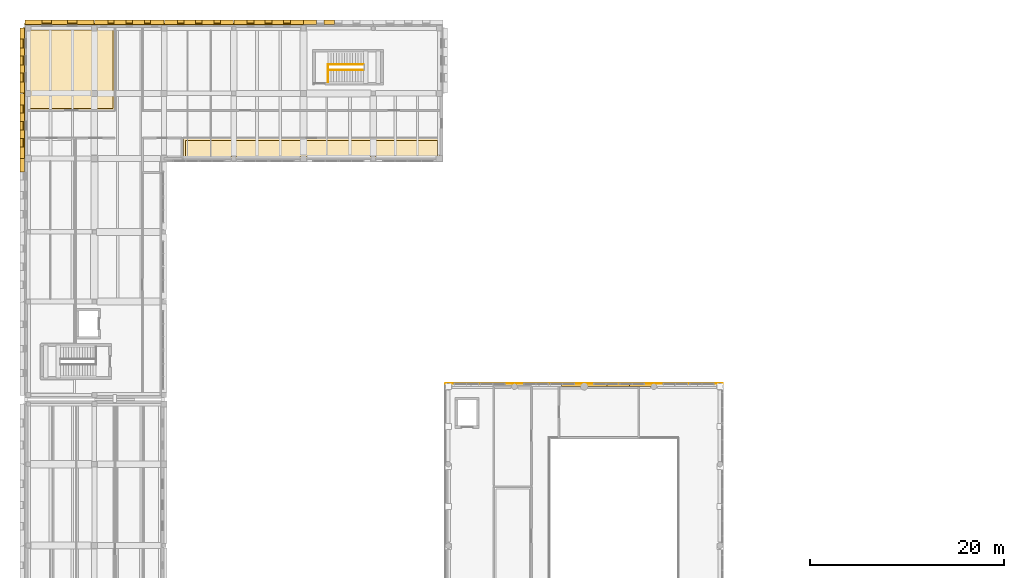
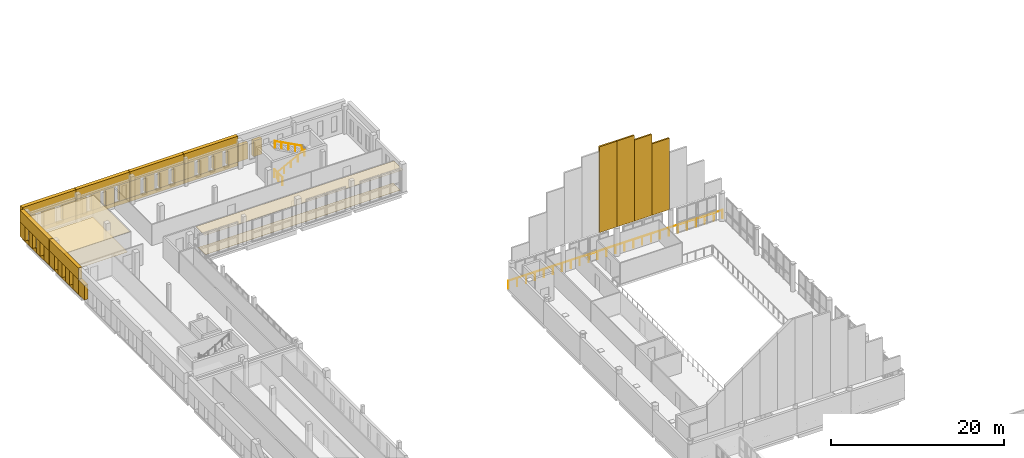
# One storey, part 72 of 76: 46 coverings, 4 railings.
"""IFC4 building model written with IfcOpenShell, lengths in metres."""

import ifcopenshell
import ifcopenshell.guid

model = None  # the IFC model being written
_history = None  # IfcOwnerHistory: only IFC2X3 demands one
_inside = {}  # id of a spatial element -> (the spatial element, [elements in it])
_under = {}  # id of a project, library or spatial element -> (it, [spatial elements below it])
_declared = {}  # id of a project -> (the project, [libraries it declares])
_typed = {}  # id of a type object -> (the type object, [elements of that type])
_made_of = {}  # id of a material, layer set ... -> (it, [elements and type objects made of it])


def new_model(schema):
    """Start an empty IFC model of exactly this schema.

    Asked for "IFC4X3", IfcOpenShell would pick the latest addendum, in which some entities
    have other attributes; the version numbers below select the first issue.
    IFC2X3 requires an IfcOwnerHistory on every rooted entity: one is made here for all.
    """
    global model, _history
    if schema == "IFC4X3":
        model = ifcopenshell.file(schema_version=(4, 3, 0, 0))
    else:
        model = ifcopenshell.file(schema=schema)
    _inside.clear()
    _under.clear()
    _declared.clear()
    _typed.clear()
    _made_of.clear()
    _history = None
    if model.schema == "IFC2X3":
        org = make("IfcOrganization", Name="unknown")
        user = make(
            "IfcPersonAndOrganization",
            ThePerson=make("IfcPerson", FamilyName="unknown"),
            TheOrganization=org,
        )
        app = make(
            "IfcApplication",
            ApplicationDeveloper=org,
            Version="unknown",
            ApplicationFullName="unknown",
            ApplicationIdentifier="unknown",
        )
        _history = make(
            "IfcOwnerHistory",
            OwningUser=user,
            OwningApplication=app,
            ChangeAction="ADDED",
            CreationDate=0,
        )
    return model


def make(cls, **values):
    """One entity of the class cls with the attributes given. An attribute that is None is left unset."""
    return model.create_entity(
        cls, **{name: value for name, value in values.items() if value is not None}
    )


def rooted(cls, **values):
    """An entity with a GlobalId (a new one), such as an element, a storey or a relation."""
    return make(cls, GlobalId=ifcopenshell.guid.new(), OwnerHistory=_history, **values)


def si_unit(unit_type, name, prefix=None):
    """IfcSIUnit, for example si_unit("LENGTHUNIT", "METRE", prefix="MILLI")."""
    return make("IfcSIUnit", UnitType=unit_type, Prefix=prefix, Name=name)


def assignment(units):
    """IfcUnitAssignment: the units of a project."""
    return None if units is None else make("IfcUnitAssignment", Units=units)


def point(xyz):
    """IfcCartesianPoint."""
    return None if xyz is None else make("IfcCartesianPoint", Coordinates=xyz)


def direction(xyz):
    """IfcDirection."""
    return None if xyz is None else make("IfcDirection", DirectionRatios=xyz)


def frame(location, z_axis=None, x_axis=None):
    """IfcAxis2Placement3D, a coordinate frame: its origin and axes. An axis left out is left unset."""
    return make(
        "IfcAxis2Placement3D",
        Location=point(location),
        Axis=direction(z_axis),
        RefDirection=direction(x_axis),
    )


def frame_2d(location, x_axis=None):
    """IfcAxis2Placement2D, a coordinate frame in the plane: its origin and x axis."""
    return make(
        "IfcAxis2Placement2D", Location=point(location), RefDirection=direction(x_axis)
    )


def origin():
    """The frame at (0, 0, 0) with its axes left unset."""
    return frame((0.0, 0.0, 0.0))


def origin_2d():
    """The frame at (0, 0) in the plane with its x axis left unset."""
    return frame_2d((0.0, 0.0))


def place(relative_to, where):
    """IfcLocalPlacement: puts the frame where relative to a parent placement (None: the world)."""
    return make(
        "IfcLocalPlacement", PlacementRelTo=relative_to, RelativePlacement=where
    )


def context(
    kind, dimensions, precision=None, world=None, true_north=None, identifier=None
):
    """IfcGeometricRepresentationContext, for example the 3D "Model" context."""
    return make(
        "IfcGeometricRepresentationContext",
        ContextIdentifier=identifier,
        ContextType=kind,
        CoordinateSpaceDimension=dimensions,
        Precision=precision,
        WorldCoordinateSystem=world,
        TrueNorth=true_north,
    )


def subcontext(parent, identifier, kind, view, scale=None):
    """IfcGeometricRepresentationSubContext, for example "Body" below "Model"."""
    return make(
        "IfcGeometricRepresentationSubContext",
        ContextIdentifier=identifier,
        ContextType=kind,
        ParentContext=parent,
        TargetScale=scale,
        TargetView=view,
    )


def project(units=None, contexts=None):
    """IfcProject with its units and contexts."""
    return rooted(
        "IfcProject",
        Name="project",
        RepresentationContexts=contexts,
        UnitsInContext=assignment(units),
    )


def spatial(cls, under=None, at=None, **own):
    """A site, building, storey or space (cls), placed at a placement, below another one or the project."""
    s = rooted(cls, ObjectPlacement=at, **own)
    if under is not None:
        _under.setdefault(under.id(), (under, []))[1].append(s)
    return s


def polyline(points):
    """IfcPolyline through the points."""
    return make("IfcPolyline", Points=[point(p) for p in points])


def profile(cls, at=None, kind="AREA", **sizes):
    """A parametric profile (cls). Its sizes go by their IFC names, for example OverallWidth=200.0."""
    return make(cls, ProfileType=kind, Position=at, **sizes)


def circle(**sizes):
    """IfcCircleProfileDef."""
    return profile("IfcCircleProfileDef", **sizes)


def outline(outer, holes=None, kind="AREA"):
    """IfcArbitraryClosedProfileDef: a profile drawn as a closed curve; with holes, ...WithVoids."""
    if holes is None:
        return make("IfcArbitraryClosedProfileDef", ProfileType=kind, OuterCurve=outer)
    return make(
        "IfcArbitraryProfileDefWithVoids",
        ProfileType=kind,
        OuterCurve=outer,
        InnerCurves=holes,
    )


def extrude(swept, where, along, depth):
    """IfcExtrudedAreaSolid: the profile swept, set in the frame where, extruded along a direction by depth."""
    return make(
        "IfcExtrudedAreaSolid",
        SweptArea=swept,
        Position=where,
        ExtrudedDirection=direction(along),
        Depth=depth,
    )


def shape(context_of_items, identifier, shape_type, items):
    """IfcShapeRepresentation: the items that make up one representation, for example the "Body"."""
    return make(
        "IfcShapeRepresentation",
        ContextOfItems=context_of_items,
        RepresentationIdentifier=identifier,
        RepresentationType=shape_type,
        Items=items,
    )


def material(Name=None, Category=None):
    """IfcMaterial."""
    return make("IfcMaterial", Name=Name, Category=Category)


def layer(
    of_material, thickness, ventilated=None, Name=None, Category=None, Priority=None
):
    """IfcMaterialLayer: one layer of a wall or slab, of a material (None: an air gap)."""
    return make(
        "IfcMaterialLayer",
        Material=of_material,
        LayerThickness=thickness,
        IsVentilated=ventilated,
        Name=Name,
        Category=Category,
        Priority=Priority,
    )


def layer_set(layers, Name=None):
    """IfcMaterialLayerSet."""
    return make("IfcMaterialLayerSet", MaterialLayers=layers, LayerSetName=Name)


def made_of(thing, what):
    """Note that an element or type object is made of a material, layer set ...; save() writes the relation."""
    if what is not None:
        _made_of.setdefault(what.id(), (what, []))[1].append(thing)
    return thing


def type_object(cls, material=None, **own):
    """A type object (cls), such as IfcWallType, which elements share."""
    return made_of(rooted(cls, **own), material)


def element(
    cls,
    number,
    at=None,
    inside=None,
    cuts=None,
    type_object=None,
    material=None,
    context=None,
    identifier="Body",
    shape_type=None,
    held_by="IfcProductDefinitionShape",
    body=None,
    shapes=None,
    **own,
):
    """One element of the class cls, such as IfcWall. Its Tag is "e" and its number.

    at: its placement. inside: the storey or other place that contains it. cuts: it is an
    opening in that element (IfcRelVoidsElement). A single representation is given by context,
    identifier, shape_type and body (its items); several are given by shapes. held_by: the class
    of the entity that holds the representations. save() writes the other relations.
    """
    e = rooted(cls, Tag="e%d" % number, ObjectPlacement=at, **own)
    if body is not None:
        shapes = [shape(context, identifier, shape_type, body)]
    if shapes is not None:
        e.Representation = make(held_by, Representations=shapes)
    if inside is not None:
        _inside.setdefault(inside.id(), (inside, []))[1].append(e)
    if cuts is not None:
        rooted(
            "IfcRelVoidsElement", RelatingBuildingElement=cuts, RelatedOpeningElement=e
        )
    if type_object is not None:
        _typed.setdefault(type_object.id(), (type_object, []))[1].append(e)
    return made_of(e, material)


def aggregate(whole, parts):
    """IfcRelAggregates: a whole, such as a stair, and the parts it consists of."""
    return rooted("IfcRelAggregates", RelatingObject=whole, RelatedObjects=parts)


def save(model, path):
    """Write the relations noted so far, then the file.

    IfcRelAggregates (storeys below a building ...), IfcRelContainedInSpatialStructure (elements
    in a storey), IfcRelDefinesByType, IfcRelAssociatesMaterial and IfcRelDeclares: one each for
    every whole, place, type object, material and project.
    """
    for whole, parts in _under.values():
        aggregate(whole, parts)
    for where, things in _inside.values():
        rooted(
            "IfcRelContainedInSpatialStructure",
            RelatedElements=things,
            RelatingStructure=where,
        )
    for kind, things in _typed.values():
        rooted("IfcRelDefinesByType", RelatedObjects=things, RelatingType=kind)
    for what, things in _made_of.values():
        rooted("IfcRelAssociatesMaterial", RelatedObjects=things, RelatingMaterial=what)
    for by, libraries in _declared.values():
        rooted("IfcRelDeclares", RelatingContext=by, RelatedDefinitions=libraries)
    model.write(path)


model = new_model("IFC4")

# Units and contexts
model_context = context("Model", 3, precision=1e-05, world=origin(), true_north=direction((0.0, 1.0)))
body_context = subcontext(model_context, "Body", "Model", "MODEL_VIEW")
ifc_project = project(units=[si_unit("LENGTHUNIT", "METRE"), si_unit("AREAUNIT", "SQUARE_METRE"), si_unit("VOLUMEUNIT", "CUBIC_METRE"), si_unit("PLANEANGLEUNIT", "RADIAN"), si_unit("MASSUNIT", "GRAM", prefix="KILO")], contexts=[model_context])

# Site, building, storey
site_placement = place(None, origin())
site = spatial("IfcSite", under=ifc_project, at=site_placement, CompositionType="ELEMENT")
building_placement = place(site_placement, origin())
building = spatial("IfcBuilding", under=site, at=building_placement, Name="Vardoun Plaza Health Centre", CompositionType="ELEMENT")
storey_placement = place(building_placement, frame((0.0, 0.0, 4.5)))
storey = spatial("IfcBuildingStorey", under=building, at=storey_placement, Name="L01", CompositionType="ELEMENT", Elevation=4.5)

# Coverings
ifc_material_1 = material(Name="Hygienic Acoustic Mineral-Fibre Ceiling", Category="concrete")
ifc_layer_1 = layer(ifc_material_1, 0.02490234375)
ifc_layer_set_1 = layer_set([ifc_layer_1], Name="Hygienic Acoustic Mineral-Fibre Ceiling")
covering_type_1 = type_object("IfcCoveringType", Name="CL-01", PredefinedType="CEILING", material=ifc_layer_set_1)
covering_1_placement = place(storey_placement, frame((0.0, 0.0, 2.89501953125)))
element("IfcCovering", 1, at=covering_1_placement, inside=storey, type_object=covering_type_1, Name="Community Health Seminar Room 2 Acoustic Ceiling", PredefinedType="CEILING", context=body_context, shape_type="SweptSolid", body=[
    extrude(outline(polyline([(13.820068359375, 114.93994140625), (13.820068359375, 106.429931640625), (4.860107421875, 106.429931640625), (4.860107421875, 114.93994140625), (13.820068359375, 114.93994140625)])), origin(), (0.0, 0.0, 1.0), 0.02490234375),
])
covering_2_placement = place(storey_placement, frame((0.0, 0.0, 2.89501953125)))
element("IfcCovering", 2, at=covering_2_placement, inside=storey, type_object=covering_type_1, Name="Paediatric Consulting Room 11 A Acoustic Ceiling", PredefinedType="CEILING", context=body_context, shape_type="SweptSolid", body=[
    extrude(outline(polyline([(20.903564453125, 101.4599609375), (20.903564453125, 103.570068359375), (47.340087890625, 103.570068359375), (47.340087890625, 101.4599609375), (20.903564453125, 101.4599609375)])), origin(), (0.0, 0.0, 1.0), 0.02490234375),
])
ifc_material_2 = material(Name="Pale Limestone Concrete C35/45", Category="masonry")
ifc_layer_2 = layer(ifc_material_2, 0.080078125)
ifc_layer_set_2 = layer_set([ifc_layer_2], Name="Pale Limestone Concrete C35/45")
covering_type_2 = type_object("IfcCoveringType", Name="CL-EXT1", PredefinedType="CLADDING", material=ifc_layer_set_2)
covering_3_placement = place(storey_placement, origin())
element("IfcCovering", 3, at=covering_3_placement, inside=storey, type_object=covering_type_2, Name="V3 L01 Pale Concrete Sill Band 767", PredefinedType="CLADDING", context=body_context, shape_type="SweptSolid", body=[
    extrude(outline(polyline([(4.52001953125, 115.300048828125), (11.679931640625, 115.300048828125), (11.679931640625, 115.43994140625), (4.52001953125, 115.43994140625), (4.52001953125, 115.300048828125)])), origin(), (0.0, 0.0, 1.0), 0.550048828125),
])
covering_4_placement = place(storey_placement, frame((0.0, 0.0, 2.72998046875)))
element("IfcCovering", 4, at=covering_4_placement, inside=storey, type_object=covering_type_2, Name="V3 L01 Sculpted Concrete Eyebrow Hood 768", PredefinedType="CLADDING", context=body_context, shape_type="SweptSolid", body=[
    extrude(outline(polyline([(4.52001953125, 115.300048828125), (11.679931640625, 115.300048828125), (11.679931640625, 115.780029296875), (4.52001953125, 115.780029296875), (4.52001953125, 115.300048828125)])), origin(), (0.0, 0.0, 1.0), 1.469970703125),
])
covering_5_placement = place(storey_placement, frame((0.0, 0.0, 0.550048828125)))
element("IfcCovering", 5, at=covering_5_placement, inside=storey, type_object=covering_type_2, Name="V3 L01 Deep-Punched Slot Concrete Reveal Pier 769", PredefinedType="CLADDING", context=body_context, shape_type="SweptSolid", body=[
    extrude(outline(polyline([(4.52001953125, 115.300048828125), (6.31396484375, 115.300048828125), (6.31396484375, 115.780029296875), (4.52001953125, 115.780029296875), (4.52001953125, 115.300048828125)])), origin(), (0.0, 0.0, 1.0), 2.179931640625),
])
covering_6_placement = place(storey_placement, frame((0.0, 0.0, 0.550048828125)))
element("IfcCovering", 6, at=covering_6_placement, inside=storey, type_object=covering_type_2, Name="V3 L01 Deep-Punched Slot Concrete Reveal Pier 770", PredefinedType="CLADDING", context=body_context, shape_type="SweptSolid", body=[
    extrude(outline(polyline([(7.2939453125, 115.300048828125), (8.906005859375, 115.300048828125), (8.906005859375, 115.780029296875), (7.2939453125, 115.780029296875), (7.2939453125, 115.300048828125)])), origin(), (0.0, 0.0, 1.0), 2.179931640625),
])
covering_7_placement = place(storey_placement, frame((0.0, 0.0, 0.550048828125)))
element("IfcCovering", 7, at=covering_7_placement, inside=storey, type_object=covering_type_2, Name="V3 L01 Deep-Punched Slot Concrete Reveal Pier 771", PredefinedType="CLADDING", context=body_context, shape_type="SweptSolid", body=[
    extrude(outline(polyline([(9.885986328125, 115.300048828125), (11.679931640625, 115.300048828125), (11.679931640625, 115.780029296875), (9.885986328125, 115.780029296875), (9.885986328125, 115.300048828125)])), origin(), (0.0, 0.0, 1.0), 2.179931640625),
])
covering_8_placement = place(storey_placement, origin())
element("IfcCovering", 8, at=covering_8_placement, inside=storey, type_object=covering_type_2, Name="V3 L01 Pale Concrete Sill Band 772", PredefinedType="CLADDING", context=body_context, shape_type="SweptSolid", body=[
    extrude(outline(polyline([(11.719970703125, 115.300048828125), (18.8798828125, 115.300048828125), (18.8798828125, 115.43994140625), (11.719970703125, 115.43994140625), (11.719970703125, 115.300048828125)])), origin(), (0.0, 0.0, 1.0), 0.550048828125),
])
covering_9_placement = place(storey_placement, frame((0.0, 0.0, 2.830078125)))
element("IfcCovering", 9, at=covering_9_placement, inside=storey, type_object=covering_type_2, Name="V3 L01 Sculpted Concrete Eyebrow Hood 773", PredefinedType="CLADDING", context=body_context, shape_type="SweptSolid", body=[
    extrude(outline(polyline([(11.719970703125, 115.300048828125), (18.8798828125, 115.300048828125), (18.8798828125, 115.780029296875), (11.719970703125, 115.780029296875), (11.719970703125, 115.300048828125)])), origin(), (0.0, 0.0, 1.0), 1.369873046875),
])
covering_10_placement = place(storey_placement, frame((0.0, 0.0, 0.550048828125)))
element("IfcCovering", 10, at=covering_10_placement, inside=storey, type_object=covering_type_2, Name="V3 L01 Deep-Punched Slot Concrete Reveal Pier 774", PredefinedType="CLADDING", context=body_context, shape_type="SweptSolid", body=[
    extrude(outline(polyline([(11.719970703125, 115.300048828125), (13.10791015625, 115.300048828125), (13.10791015625, 115.780029296875), (11.719970703125, 115.780029296875), (11.719970703125, 115.300048828125)])), origin(), (0.0, 0.0, 1.0), 2.280029296875),
])
covering_11_placement = place(storey_placement, frame((0.0, 0.0, 0.550048828125)))
element("IfcCovering", 11, at=covering_11_placement, inside=storey, type_object=covering_type_2, Name="V3 L01 Deep-Punched Slot Concrete Reveal Pier 775", PredefinedType="CLADDING", context=body_context, shape_type="SweptSolid", body=[
    extrude(outline(polyline([(13.748046875, 115.300048828125), (14.97998046875, 115.300048828125), (14.97998046875, 115.780029296875), (13.748046875, 115.780029296875), (13.748046875, 115.300048828125)])), origin(), (0.0, 0.0, 1.0), 2.280029296875),
])
covering_12_placement = place(storey_placement, frame((0.0, 0.0, 0.550048828125)))
element("IfcCovering", 12, at=covering_12_placement, inside=storey, type_object=covering_type_2, Name="V3 L01 Deep-Punched Slot Concrete Reveal Pier 776", PredefinedType="CLADDING", context=body_context, shape_type="SweptSolid", body=[
    extrude(outline(polyline([(15.6201171875, 115.300048828125), (16.85205078125, 115.300048828125), (16.85205078125, 115.780029296875), (15.6201171875, 115.780029296875), (15.6201171875, 115.300048828125)])), origin(), (0.0, 0.0, 1.0), 2.280029296875),
])
covering_13_placement = place(storey_placement, frame((0.0, 0.0, 0.550048828125)))
element("IfcCovering", 13, at=covering_13_placement, inside=storey, type_object=covering_type_2, Name="V3 L01 Deep-Punched Slot Concrete Reveal Pier 777", PredefinedType="CLADDING", context=body_context, shape_type="SweptSolid", body=[
    extrude(outline(polyline([(17.491943359375, 115.300048828125), (18.8798828125, 115.300048828125), (18.8798828125, 115.780029296875), (17.491943359375, 115.780029296875), (17.491943359375, 115.300048828125)])), origin(), (0.0, 0.0, 1.0), 2.280029296875),
])
covering_14_placement = place(storey_placement, origin())
element("IfcCovering", 14, at=covering_14_placement, inside=storey, type_object=covering_type_2, Name="V3 L01 Pale Concrete Sill Band 778", PredefinedType="CLADDING", context=body_context, shape_type="SweptSolid", body=[
    extrude(outline(polyline([(18.919921875, 115.300048828125), (26.080078125, 115.300048828125), (26.080078125, 115.43994140625), (18.919921875, 115.43994140625), (18.919921875, 115.300048828125)])), origin(), (0.0, 0.0, 1.0), 0.550048828125),
])
covering_15_placement = place(storey_placement, frame((0.0, 0.0, 2.830078125)))
element("IfcCovering", 15, at=covering_15_placement, inside=storey, type_object=covering_type_2, Name="V3 L01 Sculpted Concrete Eyebrow Hood 779", PredefinedType="CLADDING", context=body_context, shape_type="SweptSolid", body=[
    extrude(outline(polyline([(18.919921875, 115.300048828125), (26.080078125, 115.300048828125), (26.080078125, 115.780029296875), (18.919921875, 115.780029296875), (18.919921875, 115.300048828125)])), origin(), (0.0, 0.0, 1.0), 1.369873046875),
])
covering_16_placement = place(storey_placement, frame((0.0, 0.0, 0.550048828125)))
element("IfcCovering", 16, at=covering_16_placement, inside=storey, type_object=covering_type_2, Name="V3 L01 Deep-Punched Slot Concrete Reveal Pier 780", PredefinedType="CLADDING", context=body_context, shape_type="SweptSolid", body=[
    extrude(outline(polyline([(18.919921875, 115.300048828125), (20.2880859375, 115.300048828125), (20.2880859375, 115.780029296875), (18.919921875, 115.780029296875), (18.919921875, 115.300048828125)])), origin(), (0.0, 0.0, 1.0), 2.280029296875),
])
covering_17_placement = place(storey_placement, frame((0.0, 0.0, 0.550048828125)))
element("IfcCovering", 17, at=covering_17_placement, inside=storey, type_object=covering_type_2, Name="V3 L01 Deep-Punched Slot Concrete Reveal Pier 781", PredefinedType="CLADDING", context=body_context, shape_type="SweptSolid", body=[
    extrude(outline(polyline([(20.968017578125, 115.300048828125), (22.159912109375, 115.300048828125), (22.159912109375, 115.780029296875), (20.968017578125, 115.780029296875), (20.968017578125, 115.300048828125)])), origin(), (0.0, 0.0, 1.0), 2.280029296875),
])
covering_18_placement = place(storey_placement, frame((0.0, 0.0, 0.550048828125)))
element("IfcCovering", 18, at=covering_18_placement, inside=storey, type_object=covering_type_2, Name="V3 L01 Deep-Punched Slot Concrete Reveal Pier 782", PredefinedType="CLADDING", context=body_context, shape_type="SweptSolid", body=[
    extrude(outline(polyline([(22.840087890625, 115.300048828125), (24.031982421875, 115.300048828125), (24.031982421875, 115.780029296875), (22.840087890625, 115.780029296875), (22.840087890625, 115.300048828125)])), origin(), (0.0, 0.0, 1.0), 2.280029296875),
])
covering_19_placement = place(storey_placement, frame((0.0, 0.0, 0.550048828125)))
element("IfcCovering", 19, at=covering_19_placement, inside=storey, type_object=covering_type_2, Name="V3 L01 Deep-Punched Slot Concrete Reveal Pier 783", PredefinedType="CLADDING", context=body_context, shape_type="SweptSolid", body=[
    extrude(outline(polyline([(24.7119140625, 115.300048828125), (26.080078125, 115.300048828125), (26.080078125, 115.780029296875), (24.7119140625, 115.780029296875), (24.7119140625, 115.300048828125)])), origin(), (0.0, 0.0, 1.0), 2.280029296875),
])
covering_20_placement = place(storey_placement, origin())
element("IfcCovering", 20, at=covering_20_placement, inside=storey, type_object=covering_type_2, Name="V3 L01 Pale Concrete Sill Band 784", PredefinedType="CLADDING", context=body_context, shape_type="SweptSolid", body=[
    extrude(outline(polyline([(26.1201171875, 115.300048828125), (33.280029296875, 115.300048828125), (33.280029296875, 115.43994140625), (26.1201171875, 115.43994140625), (26.1201171875, 115.300048828125)])), origin(), (0.0, 0.0, 1.0), 0.550048828125),
])
covering_21_placement = place(storey_placement, frame((0.0, 0.0, 2.77001953125)))
element("IfcCovering", 21, at=covering_21_placement, inside=storey, type_object=covering_type_2, Name="V3 L01 Sculpted Concrete Eyebrow Hood 785", PredefinedType="CLADDING", context=body_context, shape_type="SweptSolid", body=[
    extrude(outline(polyline([(26.1201171875, 115.300048828125), (33.280029296875, 115.300048828125), (33.280029296875, 115.780029296875), (26.1201171875, 115.780029296875), (26.1201171875, 115.300048828125)])), origin(), (0.0, 0.0, 1.0), 1.429931640625),
])
covering_22_placement = place(storey_placement, frame((0.0, 0.0, 0.550048828125)))
element("IfcCovering", 22, at=covering_22_placement, inside=storey, type_object=covering_type_2, Name="V3 L01 Deep-Punched Slot Concrete Reveal Pier 786", PredefinedType="CLADDING", context=body_context, shape_type="SweptSolid", body=[
    extrude(outline(polyline([(26.1201171875, 115.300048828125), (27.468017578125, 115.300048828125), (27.468017578125, 115.780029296875), (26.1201171875, 115.780029296875), (26.1201171875, 115.300048828125)])), origin(), (0.0, 0.0, 1.0), 2.219970703125),
])
covering_23_placement = place(storey_placement, frame((0.0, 0.0, 0.550048828125)))
element("IfcCovering", 23, at=covering_23_placement, inside=storey, type_object=covering_type_2, Name="V3 L01 Deep-Punched Slot Concrete Reveal Pier 787", PredefinedType="CLADDING", context=body_context, shape_type="SweptSolid", body=[
    extrude(outline(polyline([(28.18798828125, 115.300048828125), (29.340087890625, 115.300048828125), (29.340087890625, 115.780029296875), (28.18798828125, 115.780029296875), (28.18798828125, 115.300048828125)])), origin(), (0.0, 0.0, 1.0), 2.219970703125),
])
covering_24_placement = place(storey_placement, frame((0.0, 0.0, 0.550048828125)))
element("IfcCovering", 24, at=covering_24_placement, inside=storey, type_object=covering_type_2, Name="V3 L01 Deep-Punched Slot Concrete Reveal Pier 788", PredefinedType="CLADDING", context=body_context, shape_type="SweptSolid", body=[
    extrude(outline(polyline([(30.06005859375, 115.300048828125), (31.2119140625, 115.300048828125), (31.2119140625, 115.780029296875), (30.06005859375, 115.780029296875), (30.06005859375, 115.300048828125)])), origin(), (0.0, 0.0, 1.0), 2.219970703125),
])
covering_25_placement = place(storey_placement, frame((0.0, 0.0, 0.550048828125)))
element("IfcCovering", 25, at=covering_25_placement, inside=storey, type_object=covering_type_2, Name="V3 L01 Deep-Punched Slot Concrete Reveal Pier 789", PredefinedType="CLADDING", context=body_context, shape_type="SweptSolid", body=[
    extrude(outline(polyline([(31.931884765625, 115.300048828125), (33.280029296875, 115.300048828125), (33.280029296875, 115.780029296875), (31.931884765625, 115.780029296875), (31.931884765625, 115.300048828125)])), origin(), (0.0, 0.0, 1.0), 2.219970703125),
])
covering_26_placement = place(storey_placement, frame((0.0, 0.0, 0.550048828125)))
element("IfcCovering", 26, at=covering_26_placement, inside=storey, type_object=covering_type_2, Name="V3 L01 Deep-Punched Slot Concrete Reveal Pier 792", PredefinedType="CLADDING", context=body_context, shape_type="SweptSolid", body=[
    extrude(outline(polyline([(33.320068359375, 115.300048828125), (34.64794921875, 115.300048828125), (34.64794921875, 115.780029296875), (33.320068359375, 115.780029296875), (33.320068359375, 115.300048828125)])), origin(), (0.0, 0.0, 1.0), 2.219970703125),
])
covering_27_placement = place(storey_placement, frame((0.0, 0.0, 0.550048828125)))
element("IfcCovering", 27, at=covering_27_placement, inside=storey, type_object=covering_type_2, Name="V3 L01 Deep-Punched Slot Concrete Reveal Pier 793", PredefinedType="CLADDING", context=body_context, shape_type="SweptSolid", body=[
    extrude(outline(polyline([(35.407958984375, 115.300048828125), (36.52001953125, 115.300048828125), (36.52001953125, 115.780029296875), (35.407958984375, 115.780029296875), (35.407958984375, 115.300048828125)])), origin(), (0.0, 0.0, 1.0), 2.219970703125),
])
covering_28_placement = place(storey_placement, frame((0.0, 0.0, 0.550048828125)))
element("IfcCovering", 28, at=covering_28_placement, inside=storey, type_object=covering_type_2, Name="V3 L01 Deep-Punched Slot Concrete Reveal Pier 825", PredefinedType="CLADDING", context=body_context, shape_type="SweptSolid", body=[
    extrude(outline(polyline([(4.5, 100.06591796875), (4.5, 101.4599609375), (4.02001953125, 101.4599609375), (4.02001953125, 100.06591796875), (4.5, 100.06591796875)])), origin(), (0.0, 0.0, 1.0), 2.06005859375),
])
covering_29_placement = place(storey_placement, origin())
element("IfcCovering", 29, at=covering_29_placement, inside=storey, type_object=covering_type_2, Name="V3 L01 Pale Concrete Sill Band 826", PredefinedType="CLADDING", context=body_context, shape_type="SweptSolid", body=[
    extrude(outline(polyline([(4.5, 101.5), (4.5, 108.179931640625), (4.360107421875, 108.179931640625), (4.360107421875, 101.5), (4.5, 101.5)])), origin(), (0.0, 0.0, 1.0), 0.550048828125),
])
covering_30_placement = place(storey_placement, frame((0.0, 0.0, 2.610107421875)))
element("IfcCovering", 30, at=covering_30_placement, inside=storey, type_object=covering_type_2, Name="V3 L01 Sculpted Concrete Eyebrow Hood 827", PredefinedType="CLADDING", context=body_context, shape_type="SweptSolid", body=[
    extrude(outline(polyline([(4.5, 101.5), (4.5, 108.179931640625), (4.02001953125, 108.179931640625), (4.02001953125, 101.5), (4.5, 101.5)])), origin(), (0.0, 0.0, 1.0), 1.58984375),
])
covering_31_placement = place(storey_placement, frame((0.0, 0.0, 0.550048828125)))
element("IfcCovering", 31, at=covering_31_placement, inside=storey, type_object=covering_type_2, Name="V3 L01 Deep-Punched Slot Concrete Reveal Pier 828", PredefinedType="CLADDING", context=body_context, shape_type="SweptSolid", body=[
    extrude(outline(polyline([(4.5, 101.5), (4.5, 102.65771484375), (4.02001953125, 102.65771484375), (4.02001953125, 101.5), (4.5, 101.5)])), origin(), (0.0, 0.0, 1.0), 2.06005859375),
])
covering_32_placement = place(storey_placement, frame((0.0, 0.0, 0.550048828125)))
element("IfcCovering", 32, at=covering_32_placement, inside=storey, type_object=covering_type_2, Name="V3 L01 Deep-Punched Slot Concrete Reveal Pier 829", PredefinedType="CLADDING", context=body_context, shape_type="SweptSolid", body=[
    extrude(outline(polyline([(4.5, 103.52783203125), (4.5, 104.405029296875), (4.02001953125, 104.405029296875), (4.02001953125, 103.52783203125), (4.5, 103.52783203125)])), origin(), (0.0, 0.0, 1.0), 2.06005859375),
])
covering_33_placement = place(storey_placement, frame((0.0, 0.0, 0.550048828125)))
element("IfcCovering", 33, at=covering_33_placement, inside=storey, type_object=covering_type_2, Name="V3 L01 Deep-Punched Slot Concrete Reveal Pier 830", PredefinedType="CLADDING", context=body_context, shape_type="SweptSolid", body=[
    extrude(outline(polyline([(4.5, 105.27490234375), (4.5, 106.152099609375), (4.02001953125, 106.152099609375), (4.02001953125, 105.27490234375), (4.5, 105.27490234375)])), origin(), (0.0, 0.0, 1.0), 2.06005859375),
])
covering_34_placement = place(storey_placement, frame((0.0, 0.0, 0.550048828125)))
element("IfcCovering", 34, at=covering_34_placement, inside=storey, type_object=covering_type_2, Name="V3 L01 Deep-Punched Slot Concrete Reveal Pier 831", PredefinedType="CLADDING", context=body_context, shape_type="SweptSolid", body=[
    extrude(outline(polyline([(4.5, 107.022216796875), (4.5, 108.179931640625), (4.02001953125, 108.179931640625), (4.02001953125, 107.022216796875), (4.5, 107.022216796875)])), origin(), (0.0, 0.0, 1.0), 2.06005859375),
])
covering_35_placement = place(storey_placement, origin())
element("IfcCovering", 35, at=covering_35_placement, inside=storey, type_object=covering_type_2, Name="V3 L01 Pale Concrete Sill Band 832", PredefinedType="CLADDING", context=body_context, shape_type="SweptSolid", body=[
    extrude(outline(polyline([(4.5, 108.219970703125), (4.5, 114.965087890625), (4.360107421875, 114.965087890625), (4.360107421875, 108.219970703125), (4.5, 108.219970703125)])), origin(), (0.0, 0.0, 1.0), 0.550048828125),
])
covering_36_placement = place(storey_placement, frame((0.0, 0.0, 2.570068359375)))
element("IfcCovering", 36, at=covering_36_placement, inside=storey, type_object=covering_type_2, Name="V3 L01 Sculpted Concrete Eyebrow Hood 833", PredefinedType="CLADDING", context=body_context, shape_type="SweptSolid", body=[
    extrude(outline(polyline([(4.5, 108.219970703125), (4.5, 114.965087890625), (4.02001953125, 114.965087890625), (4.02001953125, 108.219970703125), (4.5, 108.219970703125)])), origin(), (0.0, 0.0, 1.0), 1.6298828125),
])
covering_37_placement = place(storey_placement, frame((0.0, 0.0, 0.550048828125)))
element("IfcCovering", 37, at=covering_37_placement, inside=storey, type_object=covering_type_2, Name="V3 L01 Deep-Punched Slot Concrete Reveal Pier 834", PredefinedType="CLADDING", context=body_context, shape_type="SweptSolid", body=[
    extrude(outline(polyline([(4.5, 108.219970703125), (4.5, 109.36328125), (4.02001953125, 109.36328125), (4.02001953125, 108.219970703125), (4.5, 108.219970703125)])), origin(), (0.0, 0.0, 1.0), 2.02001953125),
])
covering_38_placement = place(storey_placement, frame((0.0, 0.0, 0.550048828125)))
element("IfcCovering", 38, at=covering_38_placement, inside=storey, type_object=covering_type_2, Name="V3 L01 Deep-Punched Slot Concrete Reveal Pier 835", PredefinedType="CLADDING", context=body_context, shape_type="SweptSolid", body=[
    extrude(outline(polyline([(4.5, 110.29345703125), (4.5, 111.12744140625), (4.02001953125, 111.12744140625), (4.02001953125, 110.29345703125), (4.5, 110.29345703125)])), origin(), (0.0, 0.0, 1.0), 2.02001953125),
])
covering_39_placement = place(storey_placement, frame((0.0, 0.0, 0.550048828125)))
element("IfcCovering", 39, at=covering_39_placement, inside=storey, type_object=covering_type_2, Name="V3 L01 Deep-Punched Slot Concrete Reveal Pier 836", PredefinedType="CLADDING", context=body_context, shape_type="SweptSolid", body=[
    extrude(outline(polyline([(4.5, 112.0576171875), (4.5, 112.8916015625), (4.02001953125, 112.8916015625), (4.02001953125, 112.0576171875), (4.5, 112.0576171875)])), origin(), (0.0, 0.0, 1.0), 2.02001953125),
])
covering_40_placement = place(storey_placement, frame((0.0, 0.0, 0.550048828125)))
element("IfcCovering", 40, at=covering_40_placement, inside=storey, type_object=covering_type_2, Name="V3 L01 Deep-Punched Slot Concrete Reveal Pier 837", PredefinedType="CLADDING", context=body_context, shape_type="SweptSolid", body=[
    extrude(outline(polyline([(4.5, 113.821533203125), (4.5, 114.965087890625), (4.02001953125, 114.965087890625), (4.02001953125, 113.821533203125), (4.5, 113.821533203125)])), origin(), (0.0, 0.0, 1.0), 2.02001953125),
])
covering_41_placement = place(storey_placement, frame((0.0, 0.0, 3.89990234375)))
element("IfcCovering", 41, at=covering_41_placement, inside=storey, type_object=covering_type_2, Name="Sculpted Concrete Roof Gable Cladding V1-N.6", PredefinedType="CLADDING", context=body_context, shape_type="SweptSolid", body=[
    extrude(outline(polyline([(59.943359375, 77.919921875), (62.280029296875, 77.919921875), (62.280029296875, 78.139892578125), (59.943359375, 78.139892578125), (59.943359375, 77.919921875)])), origin(), (0.0, 0.0, 1.0), 12.115478515625),
])
covering_42_placement = place(storey_placement, frame((0.0, 0.0, 3.89990234375)))
element("IfcCovering", 42, at=covering_42_placement, inside=storey, type_object=covering_type_2, Name="Sculpted Concrete Roof Gable Cladding V1-N.7", PredefinedType="CLADDING", context=body_context, shape_type="SweptSolid", body=[
    extrude(outline(polyline([(62.280029296875, 77.919921875), (64.61669921875, 77.919921875), (64.61669921875, 78.139892578125), (62.280029296875, 78.139892578125), (62.280029296875, 77.919921875)])), origin(), (0.0, 0.0, 1.0), 12.115478515625),
])
covering_43_placement = place(storey_placement, frame((0.0, 0.0, 3.89990234375)))
element("IfcCovering", 43, at=covering_43_placement, inside=storey, type_object=covering_type_2, Name="Sculpted Concrete Roof Gable Cladding V1-N.8", PredefinedType="CLADDING", context=body_context, shape_type="SweptSolid", body=[
    extrude(outline(polyline([(64.61669921875, 77.919921875), (66.953369140625, 77.919921875), (66.953369140625, 78.139892578125), (64.61669921875, 78.139892578125), (64.61669921875, 77.919921875)])), origin(), (0.0, 0.0, 1.0), 11.4375),
])
covering_44_placement = place(storey_placement, frame((0.0, 0.0, 3.89990234375)))
element("IfcCovering", 44, at=covering_44_placement, inside=storey, type_object=covering_type_2, Name="Sculpted Concrete Roof Gable Cladding V1-N.9", PredefinedType="CLADDING", context=body_context, shape_type="SweptSolid", body=[
    extrude(outline(polyline([(66.953369140625, 77.919921875), (69.2900390625, 77.919921875), (69.2900390625, 78.139892578125), (66.953369140625, 78.139892578125), (66.953369140625, 77.919921875)])), origin(), (0.0, 0.0, 1.0), 10.08203125),
])
ifc_material_3 = material(Name="Seamless Conductive Clinical Vinyl Flooring", Category="concrete")
ifc_layer_3 = layer(ifc_material_3, 0.014892578125)
ifc_layer_set_3 = layer_set([ifc_layer_3], Name="Seamless Conductive Clinical Vinyl Flooring")
covering_type_3 = type_object("IfcCoveringType", Name="FL-01", PredefinedType="FLOORING", material=ifc_layer_set_3)
covering_45_placement = place(storey_placement, origin())
element("IfcCovering", 45, at=covering_45_placement, inside=storey, type_object=covering_type_3, Name="Community Health Seminar Room 2 Floor Finish", PredefinedType="FLOORING", context=body_context, shape_type="SweptSolid", body=[
    extrude(outline(polyline([(13.610107421875, 114.72998046875), (13.610107421875, 106.639892578125), (5.070068359375, 106.639892578125), (5.070068359375, 114.72998046875), (13.610107421875, 114.72998046875)])), origin(), (0.0, 0.0, 1.0), 0.014892578125),
])
covering_46_placement = place(storey_placement, origin())
element("IfcCovering", 46, at=covering_46_placement, inside=storey, type_object=covering_type_3, Name="Paediatric Consulting Room 11 A Floor Finish", PredefinedType="FLOORING", context=body_context, shape_type="SweptSolid", body=[
    extrude(outline(polyline([(21.113525390625, 101.669921875), (21.113525390625, 103.360107421875), (47.1298828125, 103.360107421875), (47.1298828125, 101.669921875), (21.113525390625, 101.669921875)])), origin(), (0.0, 0.0, 1.0), 0.014892578125),
])

# Railings
ifc_material_4 = material(Name="Painted Steel S275JR Stair-Well Guardrail", Category="steel")
railing_type_1 = type_object("IfcRailingType", Name="GR-04", PredefinedType="GUARDRAIL", material=ifc_material_4)
railing_1_placement = place(storey_placement, frame((35.81005859375, 109.3798828125, 0.0)))
element("IfcRailing", 47, at=railing_1_placement, inside=storey, type_object=railing_type_1, Name="Stair ST-C4-L00 Upper Landing Well Guard", PredefinedType="GUARDRAIL", context=body_context, shape_type="SweptSolid", body=[
    extrude(circle(Radius=0.02392578125, at=origin_2d()), frame((0.0, 0.0, 1.09619140625), z_axis=(0.0, 1.0, 0.0), x_axis=(-1.0, 0.0, 0.0)), (0.0, 0.0, 1.0), 1.815185546875),
    extrude(circle(Radius=0.02099609375, at=origin_2d()), origin(), (0.0, 0.0, 1.0), 1.072021484375),
    extrude(circle(Radius=0.02099609375, at=origin_2d()), frame((0.0, 0.90771484375, 0.0)), (0.0, 0.0, 1.0), 1.072021484375),
    extrude(circle(Radius=0.02099609375, at=origin_2d()), frame((0.0, 1.815185546875, 0.0)), (0.0, 0.0, 1.0), 1.072021484375),
])
ifc_material_5 = material(Name="Brushed Stainless Steel Grade 316L", Category="steel")
railing_type_2 = type_object("IfcRailingType", Name="HR-01", PredefinedType="HANDRAIL", material=ifc_material_5)
railing_2_placement = place(storey_placement, frame((35.85009765625, 110.60498046875, 0.14990234375)))
element("IfcRailing", 48, at=railing_2_placement, inside=storey, type_object=railing_type_2, Name="Stair ST-C4-L01 Flight 1 Handrail", PredefinedType="HANDRAIL", context=body_context, shape_type="SweptSolid", body=[
    extrude(circle(Radius=0.02392578125, at=origin_2d()), frame((0.0, 0.0, 0.89599609375), z_axis=(0.88145447994, 0.0, 0.472268990929), x_axis=(0.0, 1.0, 0.0)), (0.0, 0.0, 1.0), 4.12939453125),
    extrude(circle(Radius=0.02099609375, at=origin_2d()), origin(), (0.0, 0.0, 1.0), 0.871826171875),
    extrude(circle(Radius=0.02099609375, at=origin_2d()), frame((0.909912109375, 0.0, 0.487548828125)), (0.0, 0.0, 1.0), 0.871826171875),
    extrude(circle(Radius=0.02099609375, at=origin_2d()), frame((1.81982421875, 0.0, 0.97509765625)), (0.0, 0.0, 1.0), 0.871826171875),
    extrude(circle(Radius=0.02099609375, at=origin_2d()), frame((2.72998046875, 0.0, 1.462646484375)), (0.0, 0.0, 1.0), 0.871826171875),
    extrude(circle(Radius=0.02099609375, at=origin_2d()), frame((3.639892578125, 0.0, 1.9501953125)), (0.0, 0.0, 1.0), 0.871826171875),
])
railing_3_placement = place(storey_placement, frame((39.489990234375, 111.195068359375, 2.25)))
element("IfcRailing", 49, at=railing_3_placement, inside=storey, type_object=railing_type_2, Name="Stair ST-C4-L01 Flight 2 Handrail", PredefinedType="HANDRAIL", context=body_context, shape_type="SweptSolid", body=[
    extrude(circle(Radius=0.02392578125, at=origin_2d()), frame((0.0, 0.0, 0.89599609375), z_axis=(-0.881479091078, 0.0, 0.472223053219), x_axis=(0.0, -1.0, 0.0)), (0.0, 0.0, 1.0), 4.12939453125),
    extrude(circle(Radius=0.02099609375, at=origin_2d()), origin(), (0.0, 0.0, 1.0), 0.871826171875),
    extrude(circle(Radius=0.02099609375, at=origin_2d()), frame((-0.909912109375, 0.0, 0.487548828125)), (0.0, 0.0, 1.0), 0.871826171875),
    extrude(circle(Radius=0.02099609375, at=origin_2d()), frame((-1.81982421875, 0.0, 0.97509765625)), (0.0, 0.0, 1.0), 0.871826171875),
    extrude(circle(Radius=0.02099609375, at=origin_2d()), frame((-2.72998046875, 0.0, 1.46240234375)), (0.0, 0.0, 1.0), 0.871826171875),
    extrude(circle(Radius=0.02099609375, at=origin_2d()), frame((-3.639892578125, 0.0, 1.949951171875)), (0.0, 0.0, 1.0), 0.871826171875),
])
railing_4_placement = place(storey_placement, frame((47.97998046875, 78.219970703125, 0.0)))
element("IfcRailing", 50, at=railing_4_placement, inside=storey, Name="Waiting Hall L01 Perimeter Edge Guard 4", PredefinedType="GUARDRAIL", context=body_context, shape_type="SweptSolid", body=[
    extrude(circle(Radius=0.02392578125, at=origin_2d()), frame((0.0, 0.0, 1.1259765625), z_axis=(1.0, 0.0, 0.0), x_axis=(0.0, 1.0, 0.0)), (0.0, 0.0, 1.0), 28.60009765625),
    extrude(circle(Radius=0.02099609375, at=origin_2d()), origin(), (0.0, 0.0, 1.0), 1.101806640625),
    extrude(circle(Radius=0.02099609375, at=origin_2d()), frame((1.191650390625, 0.0, 0.0)), (0.0, 0.0, 1.0), 1.101806640625),
    extrude(circle(Radius=0.02099609375, at=origin_2d()), frame((2.38330078125, 0.0, 0.0)), (0.0, 0.0, 1.0), 1.101806640625),
    extrude(circle(Radius=0.02099609375, at=origin_2d()), frame((3.574951171875, 0.0, 0.0)), (0.0, 0.0, 1.0), 1.101806640625),
    extrude(circle(Radius=0.02099609375, at=origin_2d()), frame((4.7666015625, 0.0, 0.0)), (0.0, 0.0, 1.0), 1.101806640625),
    extrude(circle(Radius=0.02099609375, at=origin_2d()), frame((5.958251953125, 0.0, 0.0)), (0.0, 0.0, 1.0), 1.101806640625),
    extrude(circle(Radius=0.02099609375, at=origin_2d()), frame((7.14990234375, 0.0, 0.0)), (0.0, 0.0, 1.0), 1.101806640625),
    extrude(circle(Radius=0.02099609375, at=origin_2d()), frame((8.341796875, 0.0, 0.0)), (0.0, 0.0, 1.0), 1.101806640625),
    extrude(circle(Radius=0.02099609375, at=origin_2d()), frame((9.533447265625, 0.0, 0.0)), (0.0, 0.0, 1.0), 1.101806640625),
    extrude(circle(Radius=0.02099609375, at=origin_2d()), frame((10.72509765625, 0.0, 0.0)), (0.0, 0.0, 1.0), 1.101806640625),
    extrude(circle(Radius=0.02099609375, at=origin_2d()), frame((11.916748046875, 0.0, 0.0)), (0.0, 0.0, 1.0), 1.101806640625),
    extrude(circle(Radius=0.02099609375, at=origin_2d()), frame((13.1083984375, 0.0, 0.0)), (0.0, 0.0, 1.0), 1.101806640625),
    extrude(circle(Radius=0.02099609375, at=origin_2d()), frame((14.300048828125, 0.0, 0.0)), (0.0, 0.0, 1.0), 1.101806640625),
    extrude(circle(Radius=0.02099609375, at=origin_2d()), frame((15.49169921875, 0.0, 0.0)), (0.0, 0.0, 1.0), 1.101806640625),
    extrude(circle(Radius=0.02099609375, at=origin_2d()), frame((16.683349609375, 0.0, 0.0)), (0.0, 0.0, 1.0), 1.101806640625),
    extrude(circle(Radius=0.02099609375, at=origin_2d()), frame((17.875, 0.0, 0.0)), (0.0, 0.0, 1.0), 1.101806640625),
    extrude(circle(Radius=0.02099609375, at=origin_2d()), frame((19.066650390625, 0.0, 0.0)), (0.0, 0.0, 1.0), 1.101806640625),
    extrude(circle(Radius=0.02099609375, at=origin_2d()), frame((20.25830078125, 0.0, 0.0)), (0.0, 0.0, 1.0), 1.101806640625),
    extrude(circle(Radius=0.02099609375, at=origin_2d()), frame((21.4501953125, 0.0, 0.0)), (0.0, 0.0, 1.0), 1.101806640625),
    extrude(circle(Radius=0.02099609375, at=origin_2d()), frame((22.641845703125, 0.0, 0.0)), (0.0, 0.0, 1.0), 1.101806640625),
    extrude(circle(Radius=0.02099609375, at=origin_2d()), frame((23.83349609375, 0.0, 0.0)), (0.0, 0.0, 1.0), 1.101806640625),
    extrude(circle(Radius=0.02099609375, at=origin_2d()), frame((25.025146484375, 0.0, 0.0)), (0.0, 0.0, 1.0), 1.101806640625),
    extrude(circle(Radius=0.02099609375, at=origin_2d()), frame((26.216796875, 0.0, 0.0)), (0.0, 0.0, 1.0), 1.101806640625),
    extrude(circle(Radius=0.02099609375, at=origin_2d()), frame((27.408447265625, 0.0, 0.0)), (0.0, 0.0, 1.0), 1.101806640625),
    extrude(circle(Radius=0.02099609375, at=origin_2d()), frame((28.60009765625, 0.0, 0.0)), (0.0, 0.0, 1.0), 1.101806640625),
])

save(model, "model.ifc")
